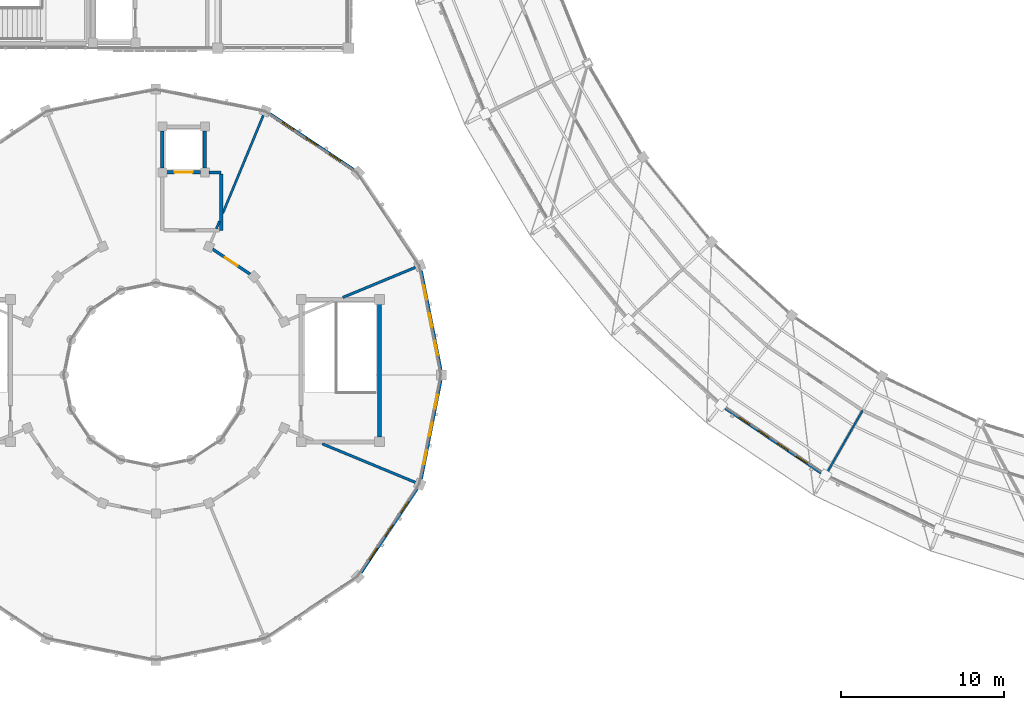
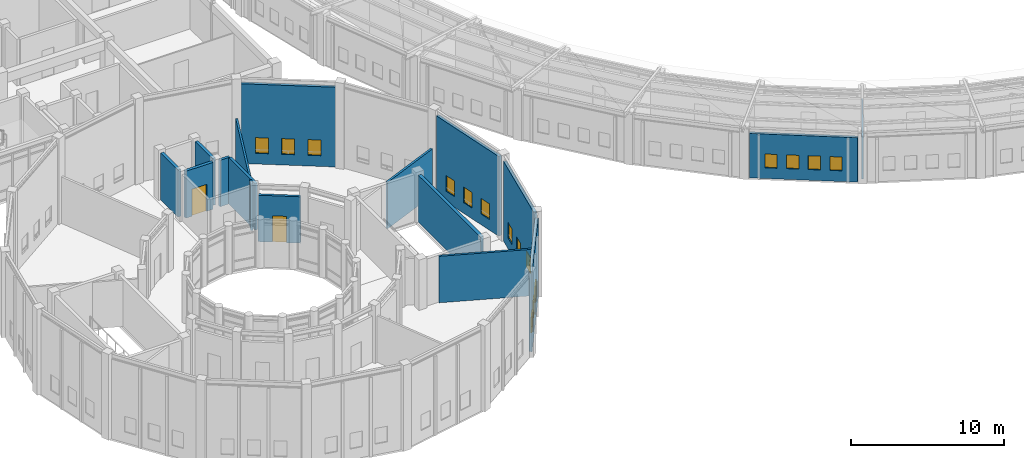
# One storey, part 118 of 149: 17 walls, 16 windows, 2 doors, 18 openings.
"""IFC4 building model written with IfcOpenShell, lengths in metres."""

from ifc_helpers import new_model, si_unit, direction, frame, frame_2d, origin, place, context, subcontext, project, spatial, rectangle, extrude, material, layer, layer_set, type_object, element, fill, save


model = new_model("IFC4")

# Units and contexts
model_context = context("Model", 3, precision=1e-05, world=origin(), true_north=direction((0.0, 1.0)))
body_context = subcontext(model_context, "Body", "Model", "MODEL_VIEW")
ifc_project = project(units=[si_unit("LENGTHUNIT", "METRE"), si_unit("AREAUNIT", "SQUARE_METRE"), si_unit("VOLUMEUNIT", "CUBIC_METRE"), si_unit("PLANEANGLEUNIT", "RADIAN"), si_unit("MASSUNIT", "GRAM", prefix="KILO")], contexts=[model_context])

# Site, building, storey
site_placement = place(None, origin())
site = spatial("IfcSite", under=ifc_project, at=site_placement, CompositionType="ELEMENT")
building_placement = place(site_placement, origin())
building = spatial("IfcBuilding", under=site, at=building_placement, Name="Celadon Cloister-Ring School", CompositionType="ELEMENT")
storey_placement = place(building_placement, frame((0.0, 0.0, 12.5)))
storey = spatial("IfcBuildingStorey", under=building, at=storey_placement, Name="L03", CompositionType="ELEMENT", Elevation=12.5)

# Wall, openings, windows
ifc_material_1 = material(Name="Perforated terracotta clay brick masonry", Category="masonry")
ifc_layer_1 = layer(ifc_material_1, 0.219970703125)
ifc_layer_set_1 = layer_set([ifc_layer_1], Name="Perforated terracotta clay brick masonry")
wall_type_1 = type_object("IfcWallType", Name="WT-EX4", PredefinedType="SOLIDWALL", material=ifc_layer_set_1)
wall_1_placement = place(storey_placement, frame((60.949951171875, 14.02099609375, 0.0), z_axis=(0.0, 0.0, 1.0), x_axis=(-0.829217797208, 0.558925616512, 0.0)))
wall_1 = element("IfcWall", 1, at=wall_1_placement, inside=storey, type_object=wall_type_1, Name="Exterior Wall 0187", PredefinedType="SOLIDWALL", context=body_context, shape_type="SweptSolid", body=[
    extrude(rectangle(XDim=7.08154296875, YDim=0.219970703125, at=frame_2d((3.540771484375, 0.0))), origin(), (0.0, 0.0, 1.0), 3.537109375),
])
opening_1_placement = place(wall_1_placement, frame((1.01611328125, 0.0, 0.85009765625)))
opening_1 = element("IfcOpeningElement", 2, at=opening_1_placement, cuts=wall_1, Name="Opening WN-01", PredefinedType="OPENING", context=body_context, shape_type="SweptSolid", body=[
    extrude(rectangle(XDim=0.800048828125, YDim=1.10009765625, at=frame_2d((0.39990234375, 0.550048828125))), frame((0.0, 0.1201171875, 0.0), z_axis=(0.0, -1.0, 0.0), x_axis=(1.0, 0.0, 0.0)), (0.0, 0.0, 1.0), 0.239990234375),
])
opening_2_placement = place(wall_1_placement, frame((2.43310546875, 0.0, 0.85009765625)))
opening_2 = element("IfcOpeningElement", 3, at=opening_2_placement, cuts=wall_1, Name="Opening WN-01", PredefinedType="OPENING", context=body_context, shape_type="SweptSolid", body=[
    extrude(rectangle(XDim=0.800048828125, YDim=1.10009765625, at=frame_2d((0.39990234375, 0.550048828125))), frame((0.0, 0.1201171875, 0.0), z_axis=(0.0, -1.0, 0.0), x_axis=(1.0, 0.0, 0.0)), (0.0, 0.0, 1.0), 0.239990234375),
])
opening_3_placement = place(wall_1_placement, frame((3.84912109375, 0.0, 0.85009765625)))
opening_3 = element("IfcOpeningElement", 4, at=opening_3_placement, cuts=wall_1, Name="Opening WN-01", PredefinedType="OPENING", context=body_context, shape_type="SweptSolid", body=[
    extrude(rectangle(XDim=0.800048828125, YDim=1.10009765625, at=frame_2d((0.39990234375, 0.550048828125))), frame((0.0, 0.1201171875, 0.0), z_axis=(0.0, -1.0, 0.0), x_axis=(1.0, 0.0, 0.0)), (0.0, 0.0, 1.0), 0.239990234375),
])
opening_4_placement = place(wall_1_placement, frame((5.264892578125, 0.0, 0.85009765625)))
opening_4 = element("IfcOpeningElement", 5, at=opening_4_placement, cuts=wall_1, Name="Opening WN-01", PredefinedType="OPENING", context=body_context, shape_type="SweptSolid", body=[
    extrude(rectangle(XDim=0.800048828125, YDim=1.10009765625, at=frame_2d((0.39990234375, 0.550048828125))), frame((0.0, 0.1201171875, 0.0), z_axis=(0.0, -1.0, 0.0), x_axis=(1.0, 0.0, 0.0)), (0.0, 0.0, 1.0), 0.239990234375),
])
ifc_material_2 = material(Name="Tempered laminated insulating glass", Category="glass")
window_type_1 = type_object("IfcWindowType", Name="WN-01", PartitioningType="SINGLE_PANEL", PredefinedType="WINDOW", material=ifc_material_2)
window_1_placement = place(opening_1_placement, origin())
window_1 = element("IfcWindow", 6, at=window_1_placement, inside=storey, type_object=window_type_1, Name="Window 0492", OverallHeight=1.10009765625, OverallWidth=0.800048828125, PartitioningType="SINGLE_PANEL", PredefinedType="WINDOW", context=body_context, shape_type="SweptSolid", body=[
    extrude(rectangle(XDim=0.800048828125, YDim=1.10009765625, at=frame_2d((0.39990234375, 0.550048828125))), frame((0.0, 0.030029296875, 0.0), z_axis=(0.0, -1.0, 0.0), x_axis=(1.0, 0.0, 0.0)), (0.0, 0.0, 1.0), 0.06005859375),
])
fill(opening_1, window_1)
window_2_placement = place(opening_2_placement, origin())
window_2 = element("IfcWindow", 7, at=window_2_placement, inside=storey, type_object=window_type_1, Name="Window 0493", OverallHeight=1.10009765625, OverallWidth=0.800048828125, PartitioningType="SINGLE_PANEL", PredefinedType="WINDOW", context=body_context, shape_type="SweptSolid", body=[
    extrude(rectangle(XDim=0.800048828125, YDim=1.10009765625, at=frame_2d((0.39990234375, 0.550048828125))), frame((0.0, 0.030029296875, 0.0), z_axis=(0.0, -1.0, 0.0), x_axis=(1.0, 0.0, 0.0)), (0.0, 0.0, 1.0), 0.06005859375),
])
fill(opening_2, window_2)
window_3_placement = place(opening_3_placement, origin())
window_3 = element("IfcWindow", 8, at=window_3_placement, inside=storey, type_object=window_type_1, Name="Window 0494", OverallHeight=1.10009765625, OverallWidth=0.800048828125, PartitioningType="SINGLE_PANEL", PredefinedType="WINDOW", context=body_context, shape_type="SweptSolid", body=[
    extrude(rectangle(XDim=0.800048828125, YDim=1.10009765625, at=frame_2d((0.39990234375, 0.550048828125))), frame((0.0, 0.030029296875, 0.0), z_axis=(0.0, -1.0, 0.0), x_axis=(1.0, 0.0, 0.0)), (0.0, 0.0, 1.0), 0.06005859375),
])
fill(opening_3, window_3)
window_4_placement = place(opening_4_placement, origin())
window_4 = element("IfcWindow", 9, at=window_4_placement, inside=storey, type_object=window_type_1, Name="Window 0495", OverallHeight=1.10009765625, OverallWidth=0.800048828125, PartitioningType="SINGLE_PANEL", PredefinedType="WINDOW", context=body_context, shape_type="SweptSolid", body=[
    extrude(rectangle(XDim=0.800048828125, YDim=1.10009765625, at=frame_2d((0.39990234375, 0.550048828125))), frame((0.0, 0.030029296875, 0.0), z_axis=(0.0, -1.0, 0.0), x_axis=(1.0, 0.0, 0.0)), (0.0, 0.0, 1.0), 0.06005859375),
])
fill(opening_4, window_4)

wall_2_placement = place(storey_placement, frame((36.431884765625, 26.3740234375, 0.0), z_axis=(0.0, 0.0, 1.0), x_axis=(0.195164813773, -0.980770460131, 0.0)))
wall_2 = element("IfcWall", 10, at=wall_2_placement, inside=storey, type_object=wall_type_1, Name="Exterior Wall 0351", PredefinedType="SOLIDWALL", context=body_context, shape_type="SweptSolid", body=[
    extrude(rectangle(XDim=6.169677734375, YDim=0.219970703125, at=frame_2d((3.0849609375, 0.0))), origin(), (0.0, 0.0, 1.0), 6.35009765625),
])
opening_5_placement = place(wall_2_placement, frame((0.931884765625, 0.0, 0.85009765625)))
opening_5 = element("IfcOpeningElement", 11, at=opening_5_placement, cuts=wall_2, Name="Opening WN-11", PredefinedType="OPENING", context=body_context, shape_type="SweptSolid", body=[
    extrude(rectangle(XDim=0.85009765625, YDim=1.25, at=frame_2d((0.425048828125, 0.625))), frame((0.0, 0.1201171875, 0.0), z_axis=(0.0, -1.0, 0.0), x_axis=(1.0, 0.0, 0.0)), (0.0, 0.0, 1.0), 0.239990234375),
])
opening_6_placement = place(wall_2_placement, frame((2.659912109375, 0.0, 0.85009765625)))
opening_6 = element("IfcOpeningElement", 12, at=opening_6_placement, cuts=wall_2, Name="Opening WN-11", PredefinedType="OPENING", context=body_context, shape_type="SweptSolid", body=[
    extrude(rectangle(XDim=0.85009765625, YDim=1.25, at=frame_2d((0.425048828125, 0.625))), frame((0.0, 0.1201171875, 0.0), z_axis=(0.0, -1.0, 0.0), x_axis=(1.0, 0.0, 0.0)), (0.0, 0.0, 1.0), 0.239990234375),
])
opening_7_placement = place(wall_2_placement, frame((4.386962890625, 0.0, 0.85009765625)))
opening_7 = element("IfcOpeningElement", 13, at=opening_7_placement, cuts=wall_2, Name="Opening WN-11", PredefinedType="OPENING", context=body_context, shape_type="SweptSolid", body=[
    extrude(rectangle(XDim=0.85009765625, YDim=1.25, at=frame_2d((0.425048828125, 0.625))), frame((0.0, 0.1201171875, 0.0), z_axis=(0.0, -1.0, 0.0), x_axis=(1.0, 0.0, 0.0)), (0.0, 0.0, 1.0), 0.239990234375),
])
ifc_material_3 = material(Name="Tempered laminated insulating glass", Category="glass")
window_type_2 = type_object("IfcWindowType", Name="WN-11", PartitioningType="SINGLE_PANEL", PredefinedType="WINDOW", material=ifc_material_3)
window_5_placement = place(opening_5_placement, origin())
window_5 = element("IfcWindow", 14, at=window_5_placement, inside=storey, type_object=window_type_2, Name="Window 0898", OverallHeight=1.25, OverallWidth=0.85009765625, PartitioningType="SINGLE_PANEL", PredefinedType="WINDOW", context=body_context, shape_type="SweptSolid", body=[
    extrude(rectangle(XDim=0.85009765625, YDim=1.25, at=frame_2d((0.425048828125, 0.625))), frame((0.0, 0.030029296875, 0.0), z_axis=(0.0, -1.0, 0.0), x_axis=(1.0, 0.0, 0.0)), (0.0, 0.0, 1.0), 0.06005859375),
])
fill(opening_5, window_5)
window_6_placement = place(opening_6_placement, origin())
window_6 = element("IfcWindow", 15, at=window_6_placement, inside=storey, type_object=window_type_2, Name="Window 0899", OverallHeight=1.25, OverallWidth=0.85009765625, PartitioningType="SINGLE_PANEL", PredefinedType="WINDOW", context=body_context, shape_type="SweptSolid", body=[
    extrude(rectangle(XDim=0.85009765625, YDim=1.25, at=frame_2d((0.425048828125, 0.625))), frame((0.0, 0.030029296875, 0.0), z_axis=(0.0, -1.0, 0.0), x_axis=(1.0, 0.0, 0.0)), (0.0, 0.0, 1.0), 0.06005859375),
])
fill(opening_6, window_6)
window_7_placement = place(opening_7_placement, origin())
window_7 = element("IfcWindow", 16, at=window_7_placement, inside=storey, type_object=window_type_2, Name="Window 0900", OverallHeight=1.25, OverallWidth=0.85009765625, PartitioningType="SINGLE_PANEL", PredefinedType="WINDOW", context=body_context, shape_type="SweptSolid", body=[
    extrude(rectangle(XDim=0.85009765625, YDim=1.25, at=frame_2d((0.425048828125, 0.625))), frame((0.0, 0.030029296875, 0.0), z_axis=(0.0, -1.0, 0.0), x_axis=(1.0, 0.0, 0.0)), (0.0, 0.0, 1.0), 0.06005859375),
])
fill(opening_7, window_7)

wall_3_placement = place(storey_placement, frame((27.1708984375, 35.985107421875, 0.0), z_axis=(0.0, 0.0, 1.0), x_axis=(0.831392186772, -0.55568609104, 0.0)))
wall_3 = element("IfcWall", 17, at=wall_3_placement, inside=storey, type_object=wall_type_1, Name="Exterior Wall 0353", PredefinedType="SOLIDWALL", context=body_context, shape_type="SweptSolid", body=[
    extrude(rectangle(XDim=6.16943359375, YDim=0.219970703125, at=frame_2d((3.084716796875, 0.0))), origin(), (0.0, 0.0, 1.0), 6.35009765625),
])
opening_8_placement = place(wall_3_placement, frame((0.931884765625, 0.0, 0.85009765625)))
opening_8 = element("IfcOpeningElement", 18, at=opening_8_placement, cuts=wall_3, Name="Opening WN-11", PredefinedType="OPENING", context=body_context, shape_type="SweptSolid", body=[
    extrude(rectangle(XDim=0.85009765625, YDim=1.25, at=frame_2d((0.425048828125, 0.625))), frame((0.0, 0.1201171875, 0.0), z_axis=(0.0, -1.0, 0.0), x_axis=(1.0, 0.0, 0.0)), (0.0, 0.0, 1.0), 0.239990234375),
])
opening_9_placement = place(wall_3_placement, frame((2.659912109375, 0.0, 0.85009765625)))
opening_9 = element("IfcOpeningElement", 19, at=opening_9_placement, cuts=wall_3, Name="Opening WN-11", PredefinedType="OPENING", context=body_context, shape_type="SweptSolid", body=[
    extrude(rectangle(XDim=0.85009765625, YDim=1.25, at=frame_2d((0.425048828125, 0.625))), frame((0.0, 0.1201171875, 0.0), z_axis=(0.0, -1.0, 0.0), x_axis=(1.0, 0.0, 0.0)), (0.0, 0.0, 1.0), 0.239990234375),
])
opening_10_placement = place(wall_3_placement, frame((4.386962890625, 0.0, 0.85009765625)))
opening_10 = element("IfcOpeningElement", 20, at=opening_10_placement, cuts=wall_3, Name="Opening WN-11", PredefinedType="OPENING", context=body_context, shape_type="SweptSolid", body=[
    extrude(rectangle(XDim=0.85009765625, YDim=1.25, at=frame_2d((0.425048828125, 0.625))), frame((0.0, 0.1201171875, 0.0), z_axis=(0.0, -1.0, 0.0), x_axis=(1.0, 0.0, 0.0)), (0.0, 0.0, 1.0), 0.239990234375),
])
window_8_placement = place(opening_8_placement, origin())
window_8 = element("IfcWindow", 21, at=window_8_placement, inside=storey, type_object=window_type_2, Name="Window 0904", OverallHeight=1.25, OverallWidth=0.85009765625, PartitioningType="SINGLE_PANEL", PredefinedType="WINDOW", context=body_context, shape_type="SweptSolid", body=[
    extrude(rectangle(XDim=0.85009765625, YDim=1.25, at=frame_2d((0.425048828125, 0.625))), frame((0.0, 0.030029296875, 0.0), z_axis=(0.0, -1.0, 0.0), x_axis=(1.0, 0.0, 0.0)), (0.0, 0.0, 1.0), 0.06005859375),
])
fill(opening_8, window_8)
window_9_placement = place(opening_9_placement, origin())
window_9 = element("IfcWindow", 22, at=window_9_placement, inside=storey, type_object=window_type_2, Name="Window 0905", OverallHeight=1.25, OverallWidth=0.85009765625, PartitioningType="SINGLE_PANEL", PredefinedType="WINDOW", context=body_context, shape_type="SweptSolid", body=[
    extrude(rectangle(XDim=0.85009765625, YDim=1.25, at=frame_2d((0.425048828125, 0.625))), frame((0.0, 0.030029296875, 0.0), z_axis=(0.0, -1.0, 0.0), x_axis=(1.0, 0.0, 0.0)), (0.0, 0.0, 1.0), 0.06005859375),
])
fill(opening_9, window_9)
window_10_placement = place(opening_10_placement, origin())
window_10 = element("IfcWindow", 23, at=window_10_placement, inside=storey, type_object=window_type_2, Name="Window 0906", OverallHeight=1.25, OverallWidth=0.85009765625, PartitioningType="SINGLE_PANEL", PredefinedType="WINDOW", context=body_context, shape_type="SweptSolid", body=[
    extrude(rectangle(XDim=0.85009765625, YDim=1.25, at=frame_2d((0.425048828125, 0.625))), frame((0.0, 0.030029296875, 0.0), z_axis=(0.0, -1.0, 0.0), x_axis=(1.0, 0.0, 0.0)), (0.0, 0.0, 1.0), 0.06005859375),
])
fill(opening_10, window_10)

wall_4_placement = place(storey_placement, frame((36.18505859375, 13.029052734375, 0.0), z_axis=(0.0, 0.0, 1.0), x_axis=(-0.555658736667, -0.831410469242, 0.0)))
wall_4 = element("IfcWall", 24, at=wall_4_placement, inside=storey, type_object=wall_type_1, Name="Exterior Wall 0368", PredefinedType="SOLIDWALL", context=body_context, shape_type="SweptSolid", body=[
    extrude(rectangle(XDim=6.169189453125, YDim=0.219970703125, at=frame_2d((3.08447265625, 0.0))), origin(), (0.0, 0.0, 1.0), 6.35009765625),
])
opening_11_placement = place(wall_4_placement, frame((0.931884765625, 0.0, 0.85009765625)))
opening_11 = element("IfcOpeningElement", 25, at=opening_11_placement, cuts=wall_4, Name="Opening WN-11", PredefinedType="OPENING", context=body_context, shape_type="SweptSolid", body=[
    extrude(rectangle(XDim=0.85009765625, YDim=1.25, at=frame_2d((0.425048828125, 0.625))), frame((0.0, 0.1201171875, 0.0), z_axis=(0.0, -1.0, 0.0), x_axis=(1.0, 0.0, 0.0)), (0.0, 0.0, 1.0), 0.239990234375),
])
opening_12_placement = place(wall_4_placement, frame((2.659912109375, 0.0, 0.85009765625)))
opening_12 = element("IfcOpeningElement", 26, at=opening_12_placement, cuts=wall_4, Name="Opening WN-11", PredefinedType="OPENING", context=body_context, shape_type="SweptSolid", body=[
    extrude(rectangle(XDim=0.85009765625, YDim=1.25, at=frame_2d((0.425048828125, 0.625))), frame((0.0, 0.1201171875, 0.0), z_axis=(0.0, -1.0, 0.0), x_axis=(1.0, 0.0, 0.0)), (0.0, 0.0, 1.0), 0.239990234375),
])
opening_13_placement = place(wall_4_placement, frame((4.386962890625, 0.0, 0.85009765625)))
opening_13 = element("IfcOpeningElement", 27, at=opening_13_placement, cuts=wall_4, Name="Opening WN-11", PredefinedType="OPENING", context=body_context, shape_type="SweptSolid", body=[
    extrude(rectangle(XDim=0.85009765625, YDim=1.25, at=frame_2d((0.425048828125, 0.625))), frame((0.0, 0.1201171875, 0.0), z_axis=(0.0, -1.0, 0.0), x_axis=(1.0, 0.0, 0.0)), (0.0, 0.0, 1.0), 0.239990234375),
])
window_11_placement = place(opening_11_placement, origin())
window_11 = element("IfcWindow", 28, at=window_11_placement, inside=storey, type_object=window_type_2, Name="Window 0940", OverallHeight=1.25, OverallWidth=0.85009765625, PartitioningType="SINGLE_PANEL", PredefinedType="WINDOW", context=body_context, shape_type="SweptSolid", body=[
    extrude(rectangle(XDim=0.85009765625, YDim=1.25, at=frame_2d((0.425048828125, 0.625))), frame((0.0, 0.030029296875, 0.0), z_axis=(0.0, -1.0, 0.0), x_axis=(1.0, 0.0, 0.0)), (0.0, 0.0, 1.0), 0.06005859375),
])
fill(opening_11, window_11)
window_12_placement = place(opening_12_placement, origin())
window_12 = element("IfcWindow", 29, at=window_12_placement, inside=storey, type_object=window_type_2, Name="Window 0941", OverallHeight=1.25, OverallWidth=0.85009765625, PartitioningType="SINGLE_PANEL", PredefinedType="WINDOW", context=body_context, shape_type="SweptSolid", body=[
    extrude(rectangle(XDim=0.85009765625, YDim=1.25, at=frame_2d((0.425048828125, 0.625))), frame((0.0, 0.030029296875, 0.0), z_axis=(0.0, -1.0, 0.0), x_axis=(1.0, 0.0, 0.0)), (0.0, 0.0, 1.0), 0.06005859375),
])
fill(opening_12, window_12)
window_13_placement = place(opening_13_placement, origin())
window_13 = element("IfcWindow", 30, at=window_13_placement, inside=storey, type_object=window_type_2, Name="Window 0942", OverallHeight=1.25, OverallWidth=0.85009765625, PartitioningType="SINGLE_PANEL", PredefinedType="WINDOW", context=body_context, shape_type="SweptSolid", body=[
    extrude(rectangle(XDim=0.85009765625, YDim=1.25, at=frame_2d((0.425048828125, 0.625))), frame((0.0, 0.030029296875, 0.0), z_axis=(0.0, -1.0, 0.0), x_axis=(1.0, 0.0, 0.0)), (0.0, 0.0, 1.0), 0.06005859375),
])
fill(opening_13, window_13)

wall_5_placement = place(storey_placement, frame((37.635986328125, 19.677001953125, 0.0), z_axis=(0.0, 0.0, 1.0), x_axis=(-0.195164813773, -0.980770460131, 0.0)))
wall_5 = element("IfcWall", 31, at=wall_5_placement, inside=storey, type_object=wall_type_1, Name="Exterior Wall 0370", PredefinedType="SOLIDWALL", context=body_context, shape_type="SweptSolid", body=[
    extrude(rectangle(XDim=6.169677734375, YDim=0.219970703125, at=frame_2d((3.0849609375, 0.0))), origin(), (0.0, 0.0, 1.0), 6.35009765625),
])
opening_14_placement = place(wall_5_placement, frame((0.931884765625, 0.0, 0.85009765625)))
opening_14 = element("IfcOpeningElement", 32, at=opening_14_placement, cuts=wall_5, Name="Opening WN-11", PredefinedType="OPENING", context=body_context, shape_type="SweptSolid", body=[
    extrude(rectangle(XDim=0.85009765625, YDim=1.25, at=frame_2d((0.425048828125, 0.625))), frame((0.0, 0.1201171875, 0.0), z_axis=(0.0, -1.0, 0.0), x_axis=(1.0, 0.0, 0.0)), (0.0, 0.0, 1.0), 0.239990234375),
])
opening_15_placement = place(wall_5_placement, frame((2.659912109375, 0.0, 0.85009765625)))
opening_15 = element("IfcOpeningElement", 33, at=opening_15_placement, cuts=wall_5, Name="Opening WN-11", PredefinedType="OPENING", context=body_context, shape_type="SweptSolid", body=[
    extrude(rectangle(XDim=0.85009765625, YDim=1.25, at=frame_2d((0.425048828125, 0.625))), frame((0.0, 0.1201171875, 0.0), z_axis=(0.0, -1.0, 0.0), x_axis=(1.0, 0.0, 0.0)), (0.0, 0.0, 1.0), 0.239990234375),
])
opening_16_placement = place(wall_5_placement, frame((4.386962890625, 0.0, 0.85009765625)))
opening_16 = element("IfcOpeningElement", 34, at=opening_16_placement, cuts=wall_5, Name="Opening WN-11", PredefinedType="OPENING", context=body_context, shape_type="SweptSolid", body=[
    extrude(rectangle(XDim=0.85009765625, YDim=1.25, at=frame_2d((0.425048828125, 0.625))), frame((0.0, 0.1201171875, 0.0), z_axis=(0.0, -1.0, 0.0), x_axis=(1.0, 0.0, 0.0)), (0.0, 0.0, 1.0), 0.239990234375),
])
window_14_placement = place(opening_14_placement, origin())
window_14 = element("IfcWindow", 35, at=window_14_placement, inside=storey, type_object=window_type_2, Name="Window 0943", OverallHeight=1.25, OverallWidth=0.85009765625, PartitioningType="SINGLE_PANEL", PredefinedType="WINDOW", context=body_context, shape_type="SweptSolid", body=[
    extrude(rectangle(XDim=0.85009765625, YDim=1.25, at=frame_2d((0.425048828125, 0.625))), frame((0.0, 0.030029296875, 0.0), z_axis=(0.0, -1.0, 0.0), x_axis=(1.0, 0.0, 0.0)), (0.0, 0.0, 1.0), 0.06005859375),
])
fill(opening_14, window_14)
window_15_placement = place(opening_15_placement, origin())
window_15 = element("IfcWindow", 36, at=window_15_placement, inside=storey, type_object=window_type_2, Name="Window 0944", OverallHeight=1.25, OverallWidth=0.85009765625, PartitioningType="SINGLE_PANEL", PredefinedType="WINDOW", context=body_context, shape_type="SweptSolid", body=[
    extrude(rectangle(XDim=0.85009765625, YDim=1.25, at=frame_2d((0.425048828125, 0.625))), frame((0.0, 0.030029296875, 0.0), z_axis=(0.0, -1.0, 0.0), x_axis=(1.0, 0.0, 0.0)), (0.0, 0.0, 1.0), 0.06005859375),
])
fill(opening_15, window_15)
window_16_placement = place(opening_16_placement, origin())
window_16 = element("IfcWindow", 37, at=window_16_placement, inside=storey, type_object=window_type_2, Name="Window 0945", OverallHeight=1.25, OverallWidth=0.85009765625, PartitioningType="SINGLE_PANEL", PredefinedType="WINDOW", context=body_context, shape_type="SweptSolid", body=[
    extrude(rectangle(XDim=0.85009765625, YDim=1.25, at=frame_2d((0.425048828125, 0.625))), frame((0.0, 0.030029296875, 0.0), z_axis=(0.0, -1.0, 0.0), x_axis=(1.0, 0.0, 0.0)), (0.0, 0.0, 1.0), 0.06005859375),
])
fill(opening_16, window_16)

# Walls
ifc_material_4 = material(Name="Plastered hollow concrete masonry", Category="masonry")
ifc_layer_2 = layer(ifc_material_4, 0.199951171875)
ifc_layer_set_2 = layer_set([ifc_layer_2], Name="Plastered hollow concrete masonry")
wall_type_2 = type_object("IfcWallType", Name="WT-PT1", PredefinedType="PARTITIONING", material=ifc_layer_set_2)
wall_6_placement = place(storey_placement, frame((23.467041015625, 32.39990234375, 0.0), z_axis=(0.0, 0.0, 1.0), x_axis=(1.0, 0.0, 0.0)))
element("IfcWall", 38, at=wall_6_placement, inside=storey, type_object=wall_type_2, Name="Interior Wall 0395", PredefinedType="PARTITIONING", context=body_context, shape_type="SweptSolid", body=[
    extrude(rectangle(XDim=0.73291015625, YDim=0.199951171875, at=frame_2d((0.366455078125, 0.0))), origin(), (0.0, 0.0, 1.0), 3.699951171875),
])
wall_7_placement = place(storey_placement, frame((24.199951171875, 28.85009765625, 0.0), z_axis=(0.0, 0.0, 1.0), x_axis=(0.0, 1.0, 0.0)))
element("IfcWall", 39, at=wall_7_placement, inside=storey, type_object=wall_type_2, Name="Interior Wall 0397", PredefinedType="PARTITIONING", context=body_context, shape_type="SweptSolid", body=[
    extrude(rectangle(XDim=3.447021484375, YDim=0.199951171875, at=frame_2d((1.7236328125, 0.0))), origin(), (0.0, 0.0, 1.0), 3.699951171875),
])

# Wall, opening, door
ifc_material_5 = material(Name="Plastered hollow concrete masonry", Category="masonry")
ifc_layer_3 = layer(ifc_material_5, 0.179931640625)
ifc_layer_set_3 = layer_set([ifc_layer_3], Name="Plastered hollow concrete masonry")
wall_type_3 = type_object("IfcWallType", Name="WT-PT2", PredefinedType="PARTITIONING", material=ifc_layer_set_3)
wall_8_placement = place(storey_placement, frame((25.98388671875, 26.160888671875, 0.0), z_axis=(0.0, 0.0, 1.0), x_axis=(-0.831318045056, 0.555797002478, 0.0)))
wall_8 = element("IfcWall", 40, at=wall_8_placement, inside=storey, type_object=wall_type_3, Name="Interior Wall 0865", PredefinedType="PARTITIONING", context=body_context, shape_type="SweptSolid", body=[
    extrude(rectangle(XDim=2.772705078125, YDim=0.179931640625, at=frame_2d((1.38623046875, 0.0))), origin(), (0.0, 0.0, 1.0), 3.699951171875),
])
opening_17_placement = place(wall_8_placement, frame((0.926025390625, 0.0, 0.0)))
opening_17 = element("IfcOpeningElement", 41, at=opening_17_placement, cuts=wall_8, Name="Opening D-0312", PredefinedType="OPENING", context=body_context, shape_type="SweptSolid", body=[
    extrude(rectangle(XDim=0.919921875, YDim=2.10009765625, at=frame_2d((0.4599609375, 1.050048828125))), frame((0.0, 0.10009765625, 0.0), z_axis=(0.0, -1.0, 0.0), x_axis=(1.0, 0.0, 0.0)), (0.0, 0.0, 1.0), 0.199951171875),
])
ifc_material_6 = material(Name="Solid-core fire-rated hardwood leaf", Category="wood")
door_type_1 = type_object("IfcDoorType", Name="DT-02", OperationType="NOTDEFINED", PredefinedType="DOOR", material=ifc_material_6)
door_1_placement = place(opening_17_placement, origin())
door_1 = element("IfcDoor", 42, at=door_1_placement, inside=storey, type_object=door_type_1, Name="Door D-0312", OperationType="SINGLE_SWING_RIGHT", OverallHeight=2.10009765625, OverallWidth=0.919921875, PredefinedType="DOOR", context=body_context, shape_type="SweptSolid", body=[
    extrude(rectangle(XDim=0.919921875, YDim=2.10009765625, at=frame_2d((0.4599609375, 1.050048828125))), frame((0.0, 0.02490234375, 0.0), z_axis=(0.0, -1.0, 0.0), x_axis=(1.0, 0.0, 0.0)), (0.0, 0.0, 1.0), 0.050048828125),
])
fill(opening_17, door_1)

# Walls
ifc_material_7 = material(Name="Plastered hollow concrete masonry", Category="masonry")
ifc_layer_4 = layer(ifc_material_7, 0.159912109375)
ifc_layer_set_4 = layer_set([ifc_layer_4], Name="Plastered hollow concrete masonry")
wall_type_4 = type_object("IfcWallType", Name="WT-PT3", PredefinedType="PARTITIONING", material=ifc_layer_set_4)
wall_9_placement = place(storey_placement, frame((31.65087890625, 24.742919921875, 0.0), z_axis=(0.0, 0.0, 1.0), x_axis=(0.923877739946, 0.382687759972, 0.0)))
element("IfcWall", 43, at=wall_9_placement, inside=storey, type_object=wall_type_4, Name="Interior Wall 0849", PredefinedType="PARTITIONING", context=body_context, shape_type="SweptSolid", body=[
    extrude(rectangle(XDim=4.8134765625, YDim=0.159912109375, at=frame_2d((2.40673828125, 0.0))), origin(), (0.0, 0.0, 1.0), 3.699951171875),
])
wall_10_placement = place(storey_placement, frame((30.39599609375, 15.777099609375, 0.0), z_axis=(0.0, 0.0, 1.0), x_axis=(0.923864955254, -0.382718623082, 0.0)))
element("IfcWall", 44, at=wall_10_placement, inside=storey, type_object=wall_type_4, Name="Interior Wall 0863", PredefinedType="PARTITIONING", context=body_context, shape_type="SweptSolid", body=[
    extrude(rectangle(XDim=6.171875, YDim=0.159912109375, at=frame_2d((3.0859375, 0.0))), origin(), (0.0, 0.0, 1.0), 3.699951171875),
])
ifc_material_8 = material(Name="Acoustic mineral-wool drywall partition")
ifc_layer_5 = layer(ifc_material_8, 0.139892578125)
ifc_layer_set_5 = layer_set([ifc_layer_5], Name="Acoustic mineral-wool drywall partition")
wall_type_5 = type_object("IfcWallType", Name="WT-PT4", PredefinedType="PARTITIONING", material=ifc_layer_set_5)
wall_11_placement = place(storey_placement, frame((23.907958984375, 28.952880859375, 0.0), z_axis=(0.0, 0.0, 1.0), x_axis=(0.3827885685, 0.92383597669, 0.0)))
element("IfcWall", 45, at=wall_11_placement, inside=storey, type_object=wall_type_5, Name="Interior Wall 0851", PredefinedType="PARTITIONING", context=body_context, shape_type="SweptSolid", body=[
    extrude(rectangle(XDim=0.49365234375, YDim=0.139892578125, at=frame_2d((0.246826171875, 0.0))), origin(), (0.0, 0.0, 1.0), 3.699951171875),
])
wall_12_placement = place(storey_placement, frame((24.302978515625, 29.906005859375, 0.0), z_axis=(0.0, 0.0, 1.0), x_axis=(0.382682035927, 0.923880110934, 0.0)))
element("IfcWall", 46, at=wall_12_placement, inside=storey, type_object=wall_type_5, Name="Interior Wall 0852", PredefinedType="PARTITIONING", context=body_context, shape_type="SweptSolid", body=[
    extrude(rectangle(XDim=6.485595703125, YDim=0.139892578125, at=frame_2d((3.24267578125, 0.0))), origin(), (0.0, 0.0, 1.0), 3.699951171875),
])
ifc_material_9 = material(Name="Acoustic mineral-wool drywall partition")
ifc_layer_6 = layer(ifc_material_9, 0.1201171875)
ifc_layer_set_6 = layer_set([ifc_layer_6], Name="Acoustic mineral-wool drywall partition")
wall_type_6 = type_object("IfcWallType", Name="WT-PT5", PredefinedType="PARTITIONING", material=ifc_layer_set_6)
wall_13_placement = place(storey_placement, frame((63.47900390625, 17.823974609375, 0.0), z_axis=(0.0, 0.0, 1.0), x_axis=(-0.495893608829, -0.868383284456, 0.0)))
element("IfcWall", 47, at=wall_13_placement, inside=storey, type_object=wall_type_6, Name="Interior Wall 0598", PredefinedType="PARTITIONING", context=body_context, shape_type="SweptSolid", body=[
    extrude(rectangle(XDim=4.287109375, YDim=0.1201171875, at=frame_2d((2.1435546875, 0.0))), origin(), (0.0, 0.0, 1.0), 3.39697265625),
])
ifc_material_10 = material(Name="Concrete C40/50", Category="concrete")
ifc_layer_7 = layer(ifc_material_10, 0.239990234375)
ifc_layer_set_7 = layer_set([ifc_layer_7], Name="Concrete C40/50")
wall_type_7 = type_object("IfcWallType", Name="WT-SH1", PredefinedType="SHEAR", material=ifc_layer_set_7)
wall_14_placement = place(storey_placement, frame((33.89990234375, 24.327880859375, 0.0), z_axis=(0.0, 0.0, 1.0), x_axis=(0.0, -1.0, 0.0)))
element("IfcWall", 48, at=wall_14_placement, inside=storey, type_object=wall_type_7, Name="Interior Wall 0078", PredefinedType="SHEAR", context=body_context, shape_type="SweptSolid", body=[
    extrude(rectangle(XDim=8.135986328125, YDim=0.239990234375, at=frame_2d((4.06787109375, 0.0))), origin(), (0.0, 0.0, 1.0), 3.739990234375),
])

# Wall, opening, door
ifc_material_11 = material(Name="Concrete C40/50", Category="concrete")
ifc_layer_8 = layer(ifc_material_11, 0.219970703125)
ifc_layer_set_8 = layer_set([ifc_layer_8], Name="Concrete C40/50")
wall_type_8 = type_object("IfcWallType", Name="WT-SH2", PredefinedType="SHEAR", material=ifc_layer_set_8)
wall_15_placement = place(storey_placement, frame((20.866943359375, 32.39990234375, 0.0), z_axis=(0.0, 0.0, 1.0), x_axis=(1.0, 0.0, 0.0)))
wall_15 = element("IfcWall", 49, at=wall_15_placement, inside=storey, type_object=wall_type_8, Name="Interior Wall 0391", PredefinedType="SHEAR", context=body_context, shape_type="SweptSolid", body=[
    extrude(rectangle(XDim=2.066162109375, YDim=0.219970703125, at=frame_2d((1.033203125, 0.0))), origin(), (0.0, 0.0, 1.0), 3.739990234375),
])
opening_18_placement = place(wall_15_placement, frame((0.48291015625, 0.0, 0.0)))
opening_18 = element("IfcOpeningElement", 50, at=opening_18_placement, cuts=wall_15, Name="Opening LD-024", PredefinedType="OPENING", context=body_context, shape_type="SweptSolid", body=[
    extrude(rectangle(XDim=1.10009765625, YDim=2.14990234375, at=frame_2d((0.550048828125, 1.074951171875))), frame((0.0, 0.1201171875, 0.0), z_axis=(0.0, -1.0, 0.0), x_axis=(1.0, 0.0, 0.0)), (0.0, 0.0, 1.0), 0.239990234375),
])
ifc_material_12 = material(Name="Galvanised fire-rated hollow steel leaf", Category="steel")
door_type_2 = type_object("IfcDoorType", Name="DT-LD1", OperationType="DOUBLE_DOOR_SLIDING", PredefinedType="DOOR", material=ifc_material_12)
door_2_placement = place(opening_18_placement, origin())
door_2 = element("IfcDoor", 51, at=door_2_placement, inside=storey, type_object=door_type_2, Name="Door LD-024", OperationType="DOUBLE_DOOR_SLIDING", OverallHeight=2.14990234375, OverallWidth=1.10009765625, PredefinedType="DOOR", context=body_context, shape_type="SweptSolid", body=[
    extrude(rectangle(XDim=1.10009765625, YDim=2.14990234375, at=frame_2d((0.550048828125, 1.074951171875))), frame((0.0, 0.02490234375, 0.0), z_axis=(0.0, -1.0, 0.0), x_axis=(1.0, 0.0, 0.0)), (0.0, 0.0, 1.0), 0.050048828125),
])
fill(opening_18, door_2)

# Walls
for number, where, z_axis, x_axis, name in (
    (52, (23.199951171875, 32.6669921875, 0.0), (0.0, 0.0, 1.0), (0.0, 1.0, 0.0), "Interior Wall 0392"),
    (53, (20.60009765625, 34.93310546875, 0.0), (0.0, 0.0, 1.0), (0.0, -1.0, 0.0), "Interior Wall 0394"),
):
    element("IfcWall", number, at=place(storey_placement, frame(where, z_axis=z_axis, x_axis=x_axis)), inside=storey, type_object=wall_type_8, Name=name, PredefinedType="SHEAR", context=body_context, shape_type="SweptSolid", body=[
        extrude(rectangle(XDim=2.26611328125, YDim=0.219970703125, at=frame_2d((1.133056640625, 0.0))), origin(), (0.0, 0.0, 1.0), 3.739990234375),
    ])

save(model, "model.ifc")
